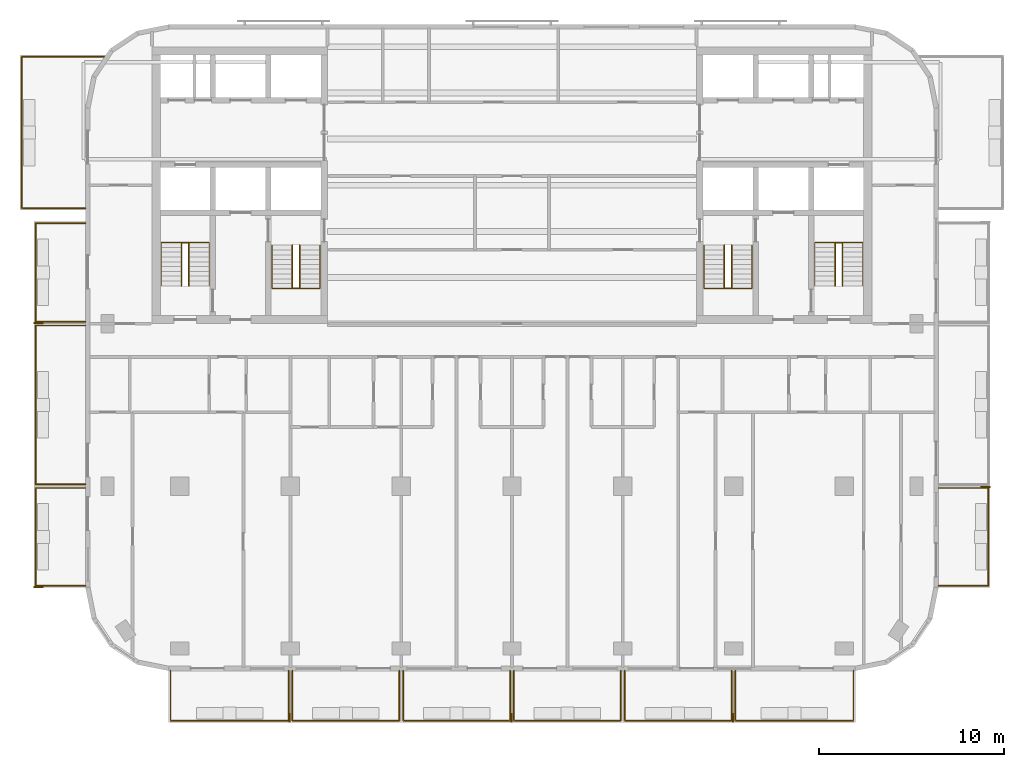
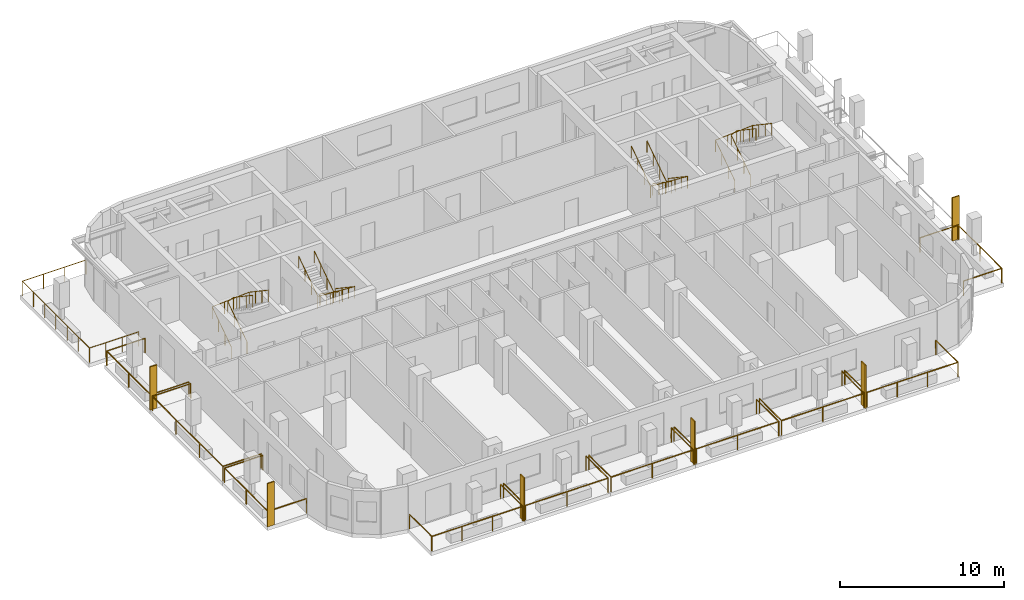
# One storey, part 9 of 11: 19 railings, 6 shading devices.
"""IFC4 building model written with IfcOpenShell, lengths in metres."""

from ifc_helpers import new_model, si_unit, direction, frame, origin, origin_2d, place, context, subcontext, project, spatial, rectangle, circle, extrude, material, layer, layer_set, type_object, element, save


model = new_model("IFC4")

# Units and contexts
model_context = context("Model", 3, precision=1e-05, world=origin(), true_north=direction((0.0, 1.0)))
body_context = subcontext(model_context, "Body", "Model", "MODEL_VIEW")
ifc_project = project(units=[si_unit("LENGTHUNIT", "METRE"), si_unit("AREAUNIT", "SQUARE_METRE"), si_unit("VOLUMEUNIT", "CUBIC_METRE"), si_unit("PLANEANGLEUNIT", "RADIAN"), si_unit("MASSUNIT", "GRAM", prefix="KILO")], contexts=[model_context])

# Site, building, storey
site_placement = place(None, origin())
site = spatial("IfcSite", under=ifc_project, at=site_placement, CompositionType="ELEMENT")
building_placement = place(site_placement, origin())
building = spatial("IfcBuilding", under=site, at=building_placement, Name="Torana Hotel and Residences", CompositionType="ELEMENT")
storey_placement = place(building_placement, frame((0.0, 0.0, 259.60009765625)))
storey = spatial("IfcBuildingStorey", under=building, at=storey_placement, Name="L68", CompositionType="ELEMENT", Elevation=259.60009765625)

# Shading devices
ifc_material_1 = material(Name="Black powder coated aluminium", Category="aluminium")
ifc_layer = layer(ifc_material_1, 0.080078125)
ifc_layer_set = layer_set([ifc_layer], Name="FN1 VERTICAL FIN 500x80")
shading_device_type = type_object("IfcShadingDeviceType", Name="FN1 VERTICAL FIN 500x80", PredefinedType="USERDEFINED", material=ifc_layer_set)
for number, where, z_axis, x_axis, name in (
    (1, (-12.0400390625, -36.35009765625, 0.0), (0.0, 0.0, 1.0), (-1.0, 0.0, 0.0), "Fin 01"),
    (2, (-0.0400390625, -36.35009765625, 0.0), (0.0, 0.0, 1.0), (-1.0, 0.0, 0.0), "Fin 03"),
    (3, (11.9599609375, -36.35009765625, 0.0), (0.0, 0.0, 1.0), (-1.0, 0.0, 0.0), "Fin 05"),
    (4, (-25.64990234375, -29.260009765625, 0.0), (0.0, 0.0, 1.0), (0.0, 1.0, 0.0), "Fin 07"),
    (5, (-25.64990234375, -14.9599609375, 0.0), (0.0, 0.0, 1.0), (0.0, 1.0, 0.0), "Fin 09"),
    (6, (25.64990234375, -23.840087890625, 0.0), (0.0, 0.0, 1.0), (0.0, -1.0, 0.0), "Fin 11"),
):
    element("IfcShadingDevice", number, at=place(storey_placement, frame(where, z_axis=z_axis, x_axis=x_axis)), inside=storey, type_object=shading_device_type, Name=name, ObjectType="FIN", PredefinedType="USERDEFINED", context=body_context, shape_type="SweptSolid", body=[
        extrude(rectangle(XDim=0.080078125, YDim=0.5, at=origin_2d()), origin(), (0.0, 0.0, 1.0), 3.219970703125),
    ])

# Railings
ifc_material_2 = material(Name="Laminated glass balustrade with black handrail", Category="glass")
railing_type_1 = type_object("IfcRailingType", Name="GR1 BALCONY GUARD 1100 GLASS", PredefinedType="GUARDRAIL", material=ifc_material_2)
railing_1_placement = place(storey_placement, frame((-12.10009765625, -33.800048828125, 0.0)))
element("IfcRailing", 7, at=railing_1_placement, inside=storey, type_object=railing_type_1, Name="Balcony guard 01", PredefinedType="GUARDRAIL", context=body_context, shape_type="SweptSolid", body=[
    extrude(circle(Radius=0.02392578125, at=origin_2d()), frame((0.0, 0.0, 1.076171875), z_axis=(0.0, -1.0, 0.0), x_axis=(1.0, 0.0, 0.0)), (0.0, 0.0, 1.0), 2.699951171875),
    extrude(circle(Radius=0.02392578125, at=origin_2d()), frame((0.0, -2.699951171875, 1.076171875), z_axis=(-1.0, 0.0, 0.0), x_axis=(0.0, -1.0, 0.0)), (0.0, 0.0, 1.0), 6.39990234375),
    extrude(circle(Radius=0.02392578125, at=origin_2d()), frame((-6.39990234375, -2.699951171875, 1.076171875), z_axis=(0.0, 1.0, 0.0), x_axis=(-1.0, 0.0, 0.0)), (0.0, 0.0, 1.0), 2.699951171875),
    extrude(circle(Radius=0.02099609375, at=origin_2d()), origin(), (0.0, 0.0, 1.0), 1.052001953125),
    extrude(circle(Radius=0.02099609375, at=origin_2d()), frame((0.0, -2.699951171875, 0.0)), (0.0, 0.0, 1.0), 1.052001953125),
    extrude(circle(Radius=0.02099609375, at=origin_2d()), frame((-2.13330078125, -2.699951171875, 0.0)), (0.0, 0.0, 1.0), 1.052001953125),
    extrude(circle(Radius=0.02099609375, at=origin_2d()), frame((-4.2666015625, -2.699951171875, 0.0)), (0.0, 0.0, 1.0), 1.052001953125),
    extrude(circle(Radius=0.02099609375, at=origin_2d()), frame((-6.39990234375, -2.699951171875, 0.0)), (0.0, 0.0, 1.0), 1.052001953125),
    extrude(circle(Radius=0.02099609375, at=origin_2d()), frame((-6.39990234375, 0.0, 0.0)), (0.0, 0.0, 1.0), 1.052001953125),
])
for number, where, name in (
    (8, (-6.10009765625, -33.800048828125, 0.0), "Balcony guard 02"),
    (9, (-0.10009765625, -33.800048828125, 0.0), "Balcony guard 03"),
    (10, (5.89990234375, -33.800048828125, 0.0), "Balcony guard 04"),
    (11, (11.89990234375, -33.800048828125, 0.0), "Balcony guard 05"),
):
    element("IfcRailing", number, at=place(storey_placement, frame(where)), inside=storey, type_object=railing_type_1, Name=name, PredefinedType="GUARDRAIL", context=body_context, shape_type="SweptSolid", body=[
        extrude(circle(Radius=0.02392578125, at=origin_2d()), frame((0.0, 0.0, 1.076171875), z_axis=(0.0, -1.0, 0.0), x_axis=(1.0, 0.0, 0.0)), (0.0, 0.0, 1.0), 2.699951171875),
        extrude(circle(Radius=0.02392578125, at=origin_2d()), frame((0.0, -2.699951171875, 1.076171875), z_axis=(-1.0, 0.0, 0.0), x_axis=(0.0, -1.0, 0.0)), (0.0, 0.0, 1.0), 5.7998046875),
        extrude(circle(Radius=0.02392578125, at=origin_2d()), frame((-5.7998046875, -2.699951171875, 1.076171875), z_axis=(0.0, 1.0, 0.0), x_axis=(-1.0, 0.0, 0.0)), (0.0, 0.0, 1.0), 2.699951171875),
        extrude(circle(Radius=0.02099609375, at=origin_2d()), origin(), (0.0, 0.0, 1.0), 1.052001953125),
        extrude(circle(Radius=0.02099609375, at=origin_2d()), frame((0.0, -2.699951171875, 0.0)), (0.0, 0.0, 1.0), 1.052001953125),
        extrude(circle(Radius=0.02099609375, at=origin_2d()), frame((-2.89990234375, -2.699951171875, 0.0)), (0.0, 0.0, 1.0), 1.052001953125),
        extrude(circle(Radius=0.02099609375, at=origin_2d()), frame((-5.7998046875, -2.699951171875, 0.0)), (0.0, 0.0, 1.0), 1.052001953125),
        extrude(circle(Radius=0.02099609375, at=origin_2d()), frame((-5.7998046875, 0.0, 0.0)), (0.0, 0.0, 1.0), 1.052001953125),
    ])
railing_2_placement = place(storey_placement, frame((18.5, -33.800048828125, 0.0)))
element("IfcRailing", 12, at=railing_2_placement, inside=storey, type_object=railing_type_1, Name="Balcony guard 06", PredefinedType="GUARDRAIL", context=body_context, shape_type="SweptSolid", body=[
    extrude(circle(Radius=0.02392578125, at=origin_2d()), frame((0.0, 0.0, 1.076171875), z_axis=(0.0, -1.0, 0.0), x_axis=(1.0, 0.0, 0.0)), (0.0, 0.0, 1.0), 2.699951171875),
    extrude(circle(Radius=0.02392578125, at=origin_2d()), frame((0.0, -2.699951171875, 1.076171875), z_axis=(-1.0, 0.0, 0.0), x_axis=(0.0, -1.0, 0.0)), (0.0, 0.0, 1.0), 6.39990234375),
    extrude(circle(Radius=0.02392578125, at=origin_2d()), frame((-6.39990234375, -2.699951171875, 1.076171875), z_axis=(0.0, 1.0, 0.0), x_axis=(-1.0, 0.0, 0.0)), (0.0, 0.0, 1.0), 2.699951171875),
    extrude(circle(Radius=0.02099609375, at=origin_2d()), origin(), (0.0, 0.0, 1.0), 1.052001953125),
    extrude(circle(Radius=0.02099609375, at=origin_2d()), frame((0.0, -2.699951171875, 0.0)), (0.0, 0.0, 1.0), 1.052001953125),
    extrude(circle(Radius=0.02099609375, at=origin_2d()), frame((-2.13330078125, -2.699951171875, 0.0)), (0.0, 0.0, 1.0), 1.052001953125),
    extrude(circle(Radius=0.02099609375, at=origin_2d()), frame((-4.2666015625, -2.699951171875, 0.0)), (0.0, 0.0, 1.0), 1.052001953125),
    extrude(circle(Radius=0.02099609375, at=origin_2d()), frame((-6.39990234375, -2.699951171875, 0.0)), (0.0, 0.0, 1.0), 1.052001953125),
    extrude(circle(Radius=0.02099609375, at=origin_2d()), frame((-6.39990234375, 0.0, 0.0)), (0.0, 0.0, 1.0), 1.052001953125),
])
railing_3_placement = place(storey_placement, frame((-23.10009765625, -29.199951171875, 0.0)))
element("IfcRailing", 13, at=railing_3_placement, inside=storey, type_object=railing_type_1, Name="Balcony guard 07", PredefinedType="GUARDRAIL", context=body_context, shape_type="SweptSolid", body=[
    extrude(circle(Radius=0.02392578125, at=origin_2d()), frame((0.0, 0.0, 1.076171875), z_axis=(-1.0, 0.0, 0.0), x_axis=(0.0, -1.0, 0.0)), (0.0, 0.0, 1.0), 2.699951171875),
    extrude(circle(Radius=0.02392578125, at=origin_2d()), frame((-2.699951171875, 0.0, 1.076171875), z_axis=(0.0, 1.0, 0.0), x_axis=(-1.0, 0.0, 0.0)), (0.0, 0.0, 1.0), 5.300048828125),
    extrude(circle(Radius=0.02392578125, at=origin_2d()), frame((-2.699951171875, 5.300048828125, 1.076171875), z_axis=(1.0, 0.0, 0.0), x_axis=(0.0, 1.0, 0.0)), (0.0, 0.0, 1.0), 2.699951171875),
    extrude(circle(Radius=0.02099609375, at=origin_2d()), origin(), (0.0, 0.0, 1.0), 1.052001953125),
    extrude(circle(Radius=0.02099609375, at=origin_2d()), frame((-2.699951171875, 0.0, 0.0)), (0.0, 0.0, 1.0), 1.052001953125),
    extrude(circle(Radius=0.02099609375, at=origin_2d()), frame((-2.699951171875, 2.64990234375, 0.0)), (0.0, 0.0, 1.0), 1.052001953125),
    extrude(circle(Radius=0.02099609375, at=origin_2d()), frame((-2.699951171875, 5.300048828125, 0.0)), (0.0, 0.0, 1.0), 1.052001953125),
    extrude(circle(Radius=0.02099609375, at=origin_2d()), frame((0.0, 5.300048828125, 0.0)), (0.0, 0.0, 1.0), 1.052001953125),
])
railing_4_placement = place(storey_placement, frame((-23.10009765625, -23.699951171875, 0.0)))
element("IfcRailing", 14, at=railing_4_placement, inside=storey, type_object=railing_type_1, Name="Balcony guard 08", PredefinedType="GUARDRAIL", context=body_context, shape_type="SweptSolid", body=[
    extrude(circle(Radius=0.02392578125, at=origin_2d()), frame((0.0, 0.0, 1.076171875), z_axis=(-1.0, 0.0, 0.0), x_axis=(0.0, -1.0, 0.0)), (0.0, 0.0, 1.0), 2.699951171875),
    extrude(circle(Radius=0.02392578125, at=origin_2d()), frame((-2.699951171875, 0.0, 1.076171875), z_axis=(0.0, 1.0, 0.0), x_axis=(-1.0, 0.0, 0.0)), (0.0, 0.0, 1.0), 8.599853515625),
    extrude(circle(Radius=0.02392578125, at=origin_2d()), frame((-2.699951171875, 8.599853515625, 1.076171875), z_axis=(1.0, 0.0, 0.0), x_axis=(0.0, 1.0, 0.0)), (0.0, 0.0, 1.0), 2.699951171875),
    extrude(circle(Radius=0.02099609375, at=origin_2d()), origin(), (0.0, 0.0, 1.0), 1.052001953125),
    extrude(circle(Radius=0.02099609375, at=origin_2d()), frame((-2.699951171875, 0.0, 0.0)), (0.0, 0.0, 1.0), 1.052001953125),
    extrude(circle(Radius=0.02099609375, at=origin_2d()), frame((-2.699951171875, 2.86669921875, 0.0)), (0.0, 0.0, 1.0), 1.052001953125),
    extrude(circle(Radius=0.02099609375, at=origin_2d()), frame((-2.699951171875, 5.733154296875, 0.0)), (0.0, 0.0, 1.0), 1.052001953125),
    extrude(circle(Radius=0.02099609375, at=origin_2d()), frame((-2.699951171875, 8.599853515625, 0.0)), (0.0, 0.0, 1.0), 1.052001953125),
    extrude(circle(Radius=0.02099609375, at=origin_2d()), frame((0.0, 8.599853515625, 0.0)), (0.0, 0.0, 1.0), 1.052001953125),
])
railing_5_placement = place(storey_placement, frame((-23.10009765625, -14.89990234375, 0.0)))
element("IfcRailing", 15, at=railing_5_placement, inside=storey, type_object=railing_type_1, Name="Balcony guard 09", PredefinedType="GUARDRAIL", context=body_context, shape_type="SweptSolid", body=[
    extrude(circle(Radius=0.02392578125, at=origin_2d()), frame((0.0, 0.0, 1.076171875), z_axis=(-1.0, 0.0, 0.0), x_axis=(0.0, -1.0, 0.0)), (0.0, 0.0, 1.0), 2.699951171875),
    extrude(circle(Radius=0.02392578125, at=origin_2d()), frame((-2.699951171875, 0.0, 1.076171875), z_axis=(0.0, 1.0, 0.0), x_axis=(-1.0, 0.0, 0.0)), (0.0, 0.0, 1.0), 5.349853515625),
    extrude(circle(Radius=0.02392578125, at=origin_2d()), frame((-2.699951171875, 5.349853515625, 1.076171875), z_axis=(1.0, 0.0, 0.0), x_axis=(0.0, 1.0, 0.0)), (0.0, 0.0, 1.0), 2.699951171875),
    extrude(circle(Radius=0.02099609375, at=origin_2d()), origin(), (0.0, 0.0, 1.0), 1.052001953125),
    extrude(circle(Radius=0.02099609375, at=origin_2d()), frame((-2.699951171875, 0.0, 0.0)), (0.0, 0.0, 1.0), 1.052001953125),
    extrude(circle(Radius=0.02099609375, at=origin_2d()), frame((-2.699951171875, 2.6748046875, 0.0)), (0.0, 0.0, 1.0), 1.052001953125),
    extrude(circle(Radius=0.02099609375, at=origin_2d()), frame((-2.699951171875, 5.349853515625, 0.0)), (0.0, 0.0, 1.0), 1.052001953125),
    extrude(circle(Radius=0.02099609375, at=origin_2d()), frame((0.0, 5.349853515625, 0.0)), (0.0, 0.0, 1.0), 1.052001953125),
])
railing_6_placement = place(storey_placement, frame((-23.10009765625, -8.75, 0.0)))
element("IfcRailing", 16, at=railing_6_placement, inside=storey, type_object=railing_type_1, Name="Balcony guard 10", PredefinedType="GUARDRAIL", context=body_context, shape_type="SweptSolid", body=[
    extrude(circle(Radius=0.02392578125, at=origin_2d()), frame((0.0, 0.0, 1.076171875), z_axis=(-1.0, 0.0, 0.0), x_axis=(0.0, -1.0, 0.0)), (0.0, 0.0, 1.0), 3.449951171875),
    extrude(circle(Radius=0.02392578125, at=origin_2d()), frame((-3.449951171875, 0.0, 1.076171875), z_axis=(0.0, 1.0, 0.0), x_axis=(-1.0, 0.0, 0.0)), (0.0, 0.0, 1.0), 8.199951171875),
    extrude(circle(Radius=0.02392578125, at=origin_2d()), frame((-3.449951171875, 8.199951171875, 1.076171875), z_axis=(1.0, 0.0, 0.0), x_axis=(0.0, 1.0, 0.0)), (0.0, 0.0, 1.0), 4.479248046875),
    extrude(circle(Radius=0.02099609375, at=origin_2d()), origin(), (0.0, 0.0, 1.0), 1.052001953125),
    extrude(circle(Radius=0.02099609375, at=origin_2d()), frame((-1.14990234375, 0.0, 0.0)), (0.0, 0.0, 1.0), 1.052001953125),
    extrude(circle(Radius=0.02099609375, at=origin_2d()), frame((-2.300048828125, 0.0, 0.0)), (0.0, 0.0, 1.0), 1.052001953125),
    extrude(circle(Radius=0.02099609375, at=origin_2d()), frame((-3.449951171875, 0.0, 0.0)), (0.0, 0.0, 1.0), 1.052001953125),
    extrude(circle(Radius=0.02099609375, at=origin_2d()), frame((-3.449951171875, 1.36669921875, 0.0)), (0.0, 0.0, 1.0), 1.052001953125),
    extrude(circle(Radius=0.02099609375, at=origin_2d()), frame((-3.449951171875, 2.7333984375, 0.0)), (0.0, 0.0, 1.0), 1.052001953125),
    extrude(circle(Radius=0.02099609375, at=origin_2d()), frame((-3.449951171875, 4.10009765625, 0.0)), (0.0, 0.0, 1.0), 1.052001953125),
    extrude(circle(Radius=0.02099609375, at=origin_2d()), frame((-3.449951171875, 5.466552734375, 0.0)), (0.0, 0.0, 1.0), 1.052001953125),
    extrude(circle(Radius=0.02099609375, at=origin_2d()), frame((-3.449951171875, 6.833251953125, 0.0)), (0.0, 0.0, 1.0), 1.052001953125),
    extrude(circle(Radius=0.02099609375, at=origin_2d()), frame((-3.449951171875, 8.199951171875, 0.0)), (0.0, 0.0, 1.0), 1.052001953125),
    extrude(circle(Radius=0.02099609375, at=origin_2d()), frame((-1.956787109375, 8.199951171875, 0.0)), (0.0, 0.0, 1.0), 1.052001953125),
    extrude(circle(Radius=0.02099609375, at=origin_2d()), frame((-0.4638671875, 8.199951171875, 0.0)), (0.0, 0.0, 1.0), 1.052001953125),
    extrude(circle(Radius=0.02099609375, at=origin_2d()), frame((1.029296875, 8.199951171875, 0.0)), (0.0, 0.0, 1.0), 1.052001953125),
])
railing_7_placement = place(storey_placement, frame((23.10009765625, -23.89990234375, 0.0)))
element("IfcRailing", 17, at=railing_7_placement, inside=storey, type_object=railing_type_1, Name="Balcony guard 11", PredefinedType="GUARDRAIL", context=body_context, shape_type="SweptSolid", body=[
    extrude(circle(Radius=0.02392578125, at=origin_2d()), frame((0.0, 0.0, 1.076171875), z_axis=(1.0, 0.0, 0.0), x_axis=(0.0, 1.0, 0.0)), (0.0, 0.0, 1.0), 2.699951171875),
    extrude(circle(Radius=0.02392578125, at=origin_2d()), frame((2.699951171875, 0.0, 1.076171875), z_axis=(0.0, -1.0, 0.0), x_axis=(1.0, 0.0, 0.0)), (0.0, 0.0, 1.0), 5.300048828125),
    extrude(circle(Radius=0.02392578125, at=origin_2d()), frame((2.699951171875, -5.300048828125, 1.076171875), z_axis=(-1.0, 0.0, 0.0), x_axis=(0.0, -1.0, 0.0)), (0.0, 0.0, 1.0), 2.699951171875),
    extrude(circle(Radius=0.02099609375, at=origin_2d()), origin(), (0.0, 0.0, 1.0), 1.052001953125),
    extrude(circle(Radius=0.02099609375, at=origin_2d()), frame((2.699951171875, 0.0, 0.0)), (0.0, 0.0, 1.0), 1.052001953125),
    extrude(circle(Radius=0.02099609375, at=origin_2d()), frame((2.699951171875, -2.64990234375, 0.0)), (0.0, 0.0, 1.0), 1.052001953125),
    extrude(circle(Radius=0.02099609375, at=origin_2d()), frame((2.699951171875, -5.300048828125, 0.0)), (0.0, 0.0, 1.0), 1.052001953125),
    extrude(circle(Radius=0.02099609375, at=origin_2d()), frame((0.0, -5.300048828125, 0.0)), (0.0, 0.0, 1.0), 1.052001953125),
])
ifc_material_3 = material(Name="Stainless steel 316", Category="steel")
railing_type_2 = type_object("IfcRailingType", Name="STAIR HANDRAIL HR1 900", PredefinedType="HANDRAIL", material=ifc_material_3)
railing_8_placement = place(storey_placement, frame((-10.39990234375, -10.75, 0.1748046875)))
element("IfcRailing", 18, at=railing_8_placement, inside=storey, type_object=railing_type_2, Name="Handrail ST1 L68 O1", PredefinedType="HANDRAIL", context=body_context, shape_type="SweptSolid", body=[
    extrude(circle(Radius=0.02392578125, at=origin_2d()), frame((0.0, 0.0, 0.8759765625), z_axis=(0.0, -0.829565388462, 0.558409586474), x_axis=(1.0, 0.0, 0.0)), (0.0, 0.0, 1.0), 2.82080078125),
    extrude(circle(Radius=0.02392578125, at=origin_2d()), frame((0.0, -2.340087890625, 2.451171875), z_axis=(-0.997747692642, 0.0, 0.067078624219), x_axis=(0.0, -1.0, 0.0)), (0.0, 0.0, 1.0), 2.60595703125),
    extrude(circle(Radius=0.02392578125, at=origin_2d()), frame((-2.60009765625, -2.340087890625, 2.6259765625), z_axis=(0.0, 0.829565388462, 0.558409586474), x_axis=(-1.0, 0.0, 0.0)), (0.0, 0.0, 1.0), 2.82080078125),
    extrude(circle(Radius=0.02099609375, at=origin_2d()), origin(), (0.0, 0.0, 1.0), 0.851806640625),
    extrude(circle(Radius=0.02099609375, at=origin_2d()), frame((0.0, -0.780029296875, 0.525146484375)), (0.0, 0.0, 1.0), 0.851806640625),
    extrude(circle(Radius=0.02099609375, at=origin_2d()), frame((0.0, -1.56005859375, 1.050048828125)), (0.0, 0.0, 1.0), 0.851806640625),
    extrude(circle(Radius=0.02099609375, at=origin_2d()), frame((0.0, -2.340087890625, 1.5751953125)), (0.0, 0.0, 1.0), 0.851806640625),
    extrude(circle(Radius=0.02099609375, at=origin_2d()), frame((-0.86669921875, -2.340087890625, 1.633544921875)), (0.0, 0.0, 1.0), 0.851806640625),
    extrude(circle(Radius=0.02099609375, at=origin_2d()), frame((-1.7333984375, -2.340087890625, 1.691650390625)), (0.0, 0.0, 1.0), 0.851806640625),
    extrude(circle(Radius=0.02099609375, at=origin_2d()), frame((-2.60009765625, -2.340087890625, 1.75)), (0.0, 0.0, 1.0), 0.851806640625),
    extrude(circle(Radius=0.02099609375, at=origin_2d()), frame((-2.60009765625, -1.56005859375, 2.275146484375)), (0.0, 0.0, 1.0), 0.851806640625),
    extrude(circle(Radius=0.02099609375, at=origin_2d()), frame((-2.60009765625, -0.780029296875, 2.800048828125)), (0.0, 0.0, 1.0), 0.851806640625),
    extrude(circle(Radius=0.02099609375, at=origin_2d()), frame((-2.60009765625, 0.0, 3.3251953125)), (0.0, 0.0, 1.0), 0.851806640625),
])
railing_9_placement = place(storey_placement, frame((-11.5, -10.75, 0.1748046875)))
element("IfcRailing", 19, at=railing_9_placement, inside=storey, type_object=railing_type_2, Name="Handrail ST1 L68 I1", PredefinedType="HANDRAIL", context=body_context, shape_type="SweptSolid", body=[
    extrude(circle(Radius=0.02392578125, at=origin_2d()), frame((0.0, 0.0, 0.8759765625), z_axis=(0.0, -0.829565388462, 0.558409586474), x_axis=(1.0, 0.0, 0.0)), (0.0, 0.0, 1.0), 2.82080078125),
    extrude(circle(Radius=0.02392578125, at=origin_2d()), frame((0.0, -2.340087890625, 2.451171875), z_axis=(-0.916285673175, 0.0, 0.400525361412), x_axis=(0.0, -1.0, 0.0)), (0.0, 0.0, 1.0), 0.4365234375),
    extrude(circle(Radius=0.02392578125, at=origin_2d()), frame((-0.39990234375, -2.340087890625, 2.6259765625), z_axis=(0.0, 0.829565388462, 0.558409586474), x_axis=(-1.0, 0.0, 0.0)), (0.0, 0.0, 1.0), 2.82080078125),
    extrude(circle(Radius=0.02099609375, at=origin_2d()), origin(), (0.0, 0.0, 1.0), 0.851806640625),
    extrude(circle(Radius=0.02099609375, at=origin_2d()), frame((0.0, -0.780029296875, 0.525146484375)), (0.0, 0.0, 1.0), 0.851806640625),
    extrude(circle(Radius=0.02099609375, at=origin_2d()), frame((0.0, -1.56005859375, 1.050048828125)), (0.0, 0.0, 1.0), 0.851806640625),
    extrude(circle(Radius=0.02099609375, at=origin_2d()), frame((0.0, -2.340087890625, 1.5751953125)), (0.0, 0.0, 1.0), 0.851806640625),
    extrude(circle(Radius=0.02099609375, at=origin_2d()), frame((-0.39990234375, -2.340087890625, 1.75)), (0.0, 0.0, 1.0), 0.851806640625),
    extrude(circle(Radius=0.02099609375, at=origin_2d()), frame((-0.39990234375, -1.56005859375, 2.275146484375)), (0.0, 0.0, 1.0), 0.851806640625),
    extrude(circle(Radius=0.02099609375, at=origin_2d()), frame((-0.39990234375, -0.780029296875, 2.800048828125)), (0.0, 0.0, 1.0), 0.851806640625),
    extrude(circle(Radius=0.02099609375, at=origin_2d()), frame((-0.39990234375, 0.0, 3.3251953125)), (0.0, 0.0, 1.0), 0.851806640625),
])
railing_10_placement = place(storey_placement, frame((-19.0, -12.949951171875, 0.1748046875)))
element("IfcRailing", 20, at=railing_10_placement, inside=storey, type_object=railing_type_2, Name="Handrail ST2 L68 O1", PredefinedType="HANDRAIL", context=body_context, shape_type="SweptSolid", body=[
    extrude(circle(Radius=0.02392578125, at=origin_2d()), frame((0.0, 0.0, 0.8759765625), z_axis=(0.0, 0.829538397957, 0.558449681095), x_axis=(-1.0, 0.0, 0.0)), (0.0, 0.0, 1.0), 2.820556640625),
    extrude(circle(Radius=0.02392578125, at=origin_2d()), frame((0.0, 2.33984375, 2.451171875), z_axis=(0.997747692642, 0.0, 0.067078624219), x_axis=(0.0, 1.0, 0.0)), (0.0, 0.0, 1.0), 2.60595703125),
    extrude(circle(Radius=0.02392578125, at=origin_2d()), frame((2.60009765625, 2.33984375, 2.6259765625), z_axis=(0.0, -0.829538397957, 0.558449681095), x_axis=(1.0, 0.0, 0.0)), (0.0, 0.0, 1.0), 2.820556640625),
    extrude(circle(Radius=0.02099609375, at=origin_2d()), origin(), (0.0, 0.0, 1.0), 0.851806640625),
    extrude(circle(Radius=0.02099609375, at=origin_2d()), frame((0.0, 0.780029296875, 0.525146484375)), (0.0, 0.0, 1.0), 0.851806640625),
    extrude(circle(Radius=0.02099609375, at=origin_2d()), frame((0.0, 1.559814453125, 1.050048828125)), (0.0, 0.0, 1.0), 0.851806640625),
    extrude(circle(Radius=0.02099609375, at=origin_2d()), frame((0.0, 2.33984375, 1.5751953125)), (0.0, 0.0, 1.0), 0.851806640625),
    extrude(circle(Radius=0.02099609375, at=origin_2d()), frame((0.86669921875, 2.33984375, 1.633544921875)), (0.0, 0.0, 1.0), 0.851806640625),
    extrude(circle(Radius=0.02099609375, at=origin_2d()), frame((1.7333984375, 2.33984375, 1.691650390625)), (0.0, 0.0, 1.0), 0.851806640625),
    extrude(circle(Radius=0.02099609375, at=origin_2d()), frame((2.60009765625, 2.33984375, 1.75)), (0.0, 0.0, 1.0), 0.851806640625),
    extrude(circle(Radius=0.02099609375, at=origin_2d()), frame((2.60009765625, 1.559814453125, 2.275146484375)), (0.0, 0.0, 1.0), 0.851806640625),
    extrude(circle(Radius=0.02099609375, at=origin_2d()), frame((2.60009765625, 0.780029296875, 2.800048828125)), (0.0, 0.0, 1.0), 0.851806640625),
    extrude(circle(Radius=0.02099609375, at=origin_2d()), frame((2.60009765625, 0.0, 3.3251953125)), (0.0, 0.0, 1.0), 0.851806640625),
])
railing_11_placement = place(storey_placement, frame((-17.89990234375, -12.949951171875, 0.1748046875)))
element("IfcRailing", 21, at=railing_11_placement, inside=storey, type_object=railing_type_2, Name="Handrail ST2 L68 I1", PredefinedType="HANDRAIL", context=body_context, shape_type="SweptSolid", body=[
    extrude(circle(Radius=0.02392578125, at=origin_2d()), frame((0.0, 0.0, 0.8759765625), z_axis=(0.0, 0.829538397957, 0.558449681095), x_axis=(-1.0, 0.0, 0.0)), (0.0, 0.0, 1.0), 2.820556640625),
    extrude(circle(Radius=0.02392578125, at=origin_2d()), frame((0.0, 2.33984375, 2.451171875), z_axis=(0.916285673175, 0.0, 0.400525361412), x_axis=(0.0, 1.0, 0.0)), (0.0, 0.0, 1.0), 0.4365234375),
    extrude(circle(Radius=0.02392578125, at=origin_2d()), frame((0.39990234375, 2.33984375, 2.6259765625), z_axis=(0.0, -0.829538397957, 0.558449681095), x_axis=(1.0, 0.0, 0.0)), (0.0, 0.0, 1.0), 2.820556640625),
    extrude(circle(Radius=0.02099609375, at=origin_2d()), origin(), (0.0, 0.0, 1.0), 0.851806640625),
    extrude(circle(Radius=0.02099609375, at=origin_2d()), frame((0.0, 0.780029296875, 0.525146484375)), (0.0, 0.0, 1.0), 0.851806640625),
    extrude(circle(Radius=0.02099609375, at=origin_2d()), frame((0.0, 1.559814453125, 1.050048828125)), (0.0, 0.0, 1.0), 0.851806640625),
    extrude(circle(Radius=0.02099609375, at=origin_2d()), frame((0.0, 2.33984375, 1.5751953125)), (0.0, 0.0, 1.0), 0.851806640625),
    extrude(circle(Radius=0.02099609375, at=origin_2d()), frame((0.39990234375, 2.33984375, 1.75)), (0.0, 0.0, 1.0), 0.851806640625),
    extrude(circle(Radius=0.02099609375, at=origin_2d()), frame((0.39990234375, 1.559814453125, 2.275146484375)), (0.0, 0.0, 1.0), 0.851806640625),
    extrude(circle(Radius=0.02099609375, at=origin_2d()), frame((0.39990234375, 0.780029296875, 2.800048828125)), (0.0, 0.0, 1.0), 0.851806640625),
    extrude(circle(Radius=0.02099609375, at=origin_2d()), frame((0.39990234375, 0.0, 3.3251953125)), (0.0, 0.0, 1.0), 0.851806640625),
])
railing_12_placement = place(storey_placement, frame((13.0, -10.75, 0.1748046875)))
element("IfcRailing", 22, at=railing_12_placement, inside=storey, type_object=railing_type_2, Name="Handrail ST3 L68 O1", PredefinedType="HANDRAIL", context=body_context, shape_type="SweptSolid", body=[
    extrude(circle(Radius=0.02392578125, at=origin_2d()), frame((0.0, 0.0, 0.8759765625), z_axis=(0.0, -0.829565388462, 0.558409586474), x_axis=(1.0, 0.0, 0.0)), (0.0, 0.0, 1.0), 2.82080078125),
    extrude(circle(Radius=0.02392578125, at=origin_2d()), frame((0.0, -2.340087890625, 2.451171875), z_axis=(-0.997747692642, 0.0, 0.067078624219), x_axis=(0.0, -1.0, 0.0)), (0.0, 0.0, 1.0), 2.60595703125),
    extrude(circle(Radius=0.02392578125, at=origin_2d()), frame((-2.60009765625, -2.340087890625, 2.6259765625), z_axis=(0.0, 0.829565388462, 0.558409586474), x_axis=(-1.0, 0.0, 0.0)), (0.0, 0.0, 1.0), 2.82080078125),
    extrude(circle(Radius=0.02099609375, at=origin_2d()), origin(), (0.0, 0.0, 1.0), 0.851806640625),
    extrude(circle(Radius=0.02099609375, at=origin_2d()), frame((0.0, -0.780029296875, 0.525146484375)), (0.0, 0.0, 1.0), 0.851806640625),
    extrude(circle(Radius=0.02099609375, at=origin_2d()), frame((0.0, -1.56005859375, 1.050048828125)), (0.0, 0.0, 1.0), 0.851806640625),
    extrude(circle(Radius=0.02099609375, at=origin_2d()), frame((0.0, -2.340087890625, 1.5751953125)), (0.0, 0.0, 1.0), 0.851806640625),
    extrude(circle(Radius=0.02099609375, at=origin_2d()), frame((-0.86669921875, -2.340087890625, 1.633544921875)), (0.0, 0.0, 1.0), 0.851806640625),
    extrude(circle(Radius=0.02099609375, at=origin_2d()), frame((-1.7333984375, -2.340087890625, 1.691650390625)), (0.0, 0.0, 1.0), 0.851806640625),
    extrude(circle(Radius=0.02099609375, at=origin_2d()), frame((-2.60009765625, -2.340087890625, 1.75)), (0.0, 0.0, 1.0), 0.851806640625),
    extrude(circle(Radius=0.02099609375, at=origin_2d()), frame((-2.60009765625, -1.56005859375, 2.275146484375)), (0.0, 0.0, 1.0), 0.851806640625),
    extrude(circle(Radius=0.02099609375, at=origin_2d()), frame((-2.60009765625, -0.780029296875, 2.800048828125)), (0.0, 0.0, 1.0), 0.851806640625),
    extrude(circle(Radius=0.02099609375, at=origin_2d()), frame((-2.60009765625, 0.0, 3.3251953125)), (0.0, 0.0, 1.0), 0.851806640625),
])
railing_13_placement = place(storey_placement, frame((11.89990234375, -10.75, 0.1748046875)))
element("IfcRailing", 23, at=railing_13_placement, inside=storey, type_object=railing_type_2, Name="Handrail ST3 L68 I1", PredefinedType="HANDRAIL", context=body_context, shape_type="SweptSolid", body=[
    extrude(circle(Radius=0.02392578125, at=origin_2d()), frame((0.0, 0.0, 0.8759765625), z_axis=(0.0, -0.829565388462, 0.558409586474), x_axis=(1.0, 0.0, 0.0)), (0.0, 0.0, 1.0), 2.82080078125),
    extrude(circle(Radius=0.02392578125, at=origin_2d()), frame((0.0, -2.340087890625, 2.451171875), z_axis=(-0.916285673175, 0.0, 0.400525361412), x_axis=(0.0, -1.0, 0.0)), (0.0, 0.0, 1.0), 0.4365234375),
    extrude(circle(Radius=0.02392578125, at=origin_2d()), frame((-0.39990234375, -2.340087890625, 2.6259765625), z_axis=(0.0, 0.829565388462, 0.558409586474), x_axis=(-1.0, 0.0, 0.0)), (0.0, 0.0, 1.0), 2.82080078125),
    extrude(circle(Radius=0.02099609375, at=origin_2d()), origin(), (0.0, 0.0, 1.0), 0.851806640625),
    extrude(circle(Radius=0.02099609375, at=origin_2d()), frame((0.0, -0.780029296875, 0.525146484375)), (0.0, 0.0, 1.0), 0.851806640625),
    extrude(circle(Radius=0.02099609375, at=origin_2d()), frame((0.0, -1.56005859375, 1.050048828125)), (0.0, 0.0, 1.0), 0.851806640625),
    extrude(circle(Radius=0.02099609375, at=origin_2d()), frame((0.0, -2.340087890625, 1.5751953125)), (0.0, 0.0, 1.0), 0.851806640625),
    extrude(circle(Radius=0.02099609375, at=origin_2d()), frame((-0.39990234375, -2.340087890625, 1.75)), (0.0, 0.0, 1.0), 0.851806640625),
    extrude(circle(Radius=0.02099609375, at=origin_2d()), frame((-0.39990234375, -1.56005859375, 2.275146484375)), (0.0, 0.0, 1.0), 0.851806640625),
    extrude(circle(Radius=0.02099609375, at=origin_2d()), frame((-0.39990234375, -0.780029296875, 2.800048828125)), (0.0, 0.0, 1.0), 0.851806640625),
    extrude(circle(Radius=0.02099609375, at=origin_2d()), frame((-0.39990234375, 0.0, 3.3251953125)), (0.0, 0.0, 1.0), 0.851806640625),
])
railing_14_placement = place(storey_placement, frame((16.39990234375, -12.949951171875, 0.1748046875)))
element("IfcRailing", 24, at=railing_14_placement, inside=storey, type_object=railing_type_2, Name="Handrail ST4 L68 O1", PredefinedType="HANDRAIL", context=body_context, shape_type="SweptSolid", body=[
    extrude(circle(Radius=0.02392578125, at=origin_2d()), frame((0.0, 0.0, 0.8759765625), z_axis=(0.0, 0.829538397957, 0.558449681095), x_axis=(-1.0, 0.0, 0.0)), (0.0, 0.0, 1.0), 2.820556640625),
    extrude(circle(Radius=0.02392578125, at=origin_2d()), frame((0.0, 2.33984375, 2.451171875), z_axis=(0.997747692642, 0.0, 0.067078624219), x_axis=(0.0, 1.0, 0.0)), (0.0, 0.0, 1.0), 2.60595703125),
    extrude(circle(Radius=0.02392578125, at=origin_2d()), frame((2.60009765625, 2.33984375, 2.6259765625), z_axis=(0.0, -0.829538397957, 0.558449681095), x_axis=(1.0, 0.0, 0.0)), (0.0, 0.0, 1.0), 2.820556640625),
    extrude(circle(Radius=0.02099609375, at=origin_2d()), origin(), (0.0, 0.0, 1.0), 0.851806640625),
    extrude(circle(Radius=0.02099609375, at=origin_2d()), frame((0.0, 0.780029296875, 0.525146484375)), (0.0, 0.0, 1.0), 0.851806640625),
    extrude(circle(Radius=0.02099609375, at=origin_2d()), frame((0.0, 1.559814453125, 1.050048828125)), (0.0, 0.0, 1.0), 0.851806640625),
    extrude(circle(Radius=0.02099609375, at=origin_2d()), frame((0.0, 2.33984375, 1.5751953125)), (0.0, 0.0, 1.0), 0.851806640625),
    extrude(circle(Radius=0.02099609375, at=origin_2d()), frame((0.86669921875, 2.33984375, 1.633544921875)), (0.0, 0.0, 1.0), 0.851806640625),
    extrude(circle(Radius=0.02099609375, at=origin_2d()), frame((1.7333984375, 2.33984375, 1.691650390625)), (0.0, 0.0, 1.0), 0.851806640625),
    extrude(circle(Radius=0.02099609375, at=origin_2d()), frame((2.60009765625, 2.33984375, 1.75)), (0.0, 0.0, 1.0), 0.851806640625),
    extrude(circle(Radius=0.02099609375, at=origin_2d()), frame((2.60009765625, 1.559814453125, 2.275146484375)), (0.0, 0.0, 1.0), 0.851806640625),
    extrude(circle(Radius=0.02099609375, at=origin_2d()), frame((2.60009765625, 0.780029296875, 2.800048828125)), (0.0, 0.0, 1.0), 0.851806640625),
    extrude(circle(Radius=0.02099609375, at=origin_2d()), frame((2.60009765625, 0.0, 3.3251953125)), (0.0, 0.0, 1.0), 0.851806640625),
])
railing_15_placement = place(storey_placement, frame((17.5, -12.949951171875, 0.1748046875)))
element("IfcRailing", 25, at=railing_15_placement, inside=storey, type_object=railing_type_2, Name="Handrail ST4 L68 I1", PredefinedType="HANDRAIL", context=body_context, shape_type="SweptSolid", body=[
    extrude(circle(Radius=0.02392578125, at=origin_2d()), frame((0.0, 0.0, 0.8759765625), z_axis=(0.0, 0.829538397957, 0.558449681095), x_axis=(-1.0, 0.0, 0.0)), (0.0, 0.0, 1.0), 2.820556640625),
    extrude(circle(Radius=0.02392578125, at=origin_2d()), frame((0.0, 2.33984375, 2.451171875), z_axis=(0.916285673175, 0.0, 0.400525361412), x_axis=(0.0, 1.0, 0.0)), (0.0, 0.0, 1.0), 0.4365234375),
    extrude(circle(Radius=0.02392578125, at=origin_2d()), frame((0.39990234375, 2.33984375, 2.6259765625), z_axis=(0.0, -0.829538397957, 0.558449681095), x_axis=(1.0, 0.0, 0.0)), (0.0, 0.0, 1.0), 2.820556640625),
    extrude(circle(Radius=0.02099609375, at=origin_2d()), origin(), (0.0, 0.0, 1.0), 0.851806640625),
    extrude(circle(Radius=0.02099609375, at=origin_2d()), frame((0.0, 0.780029296875, 0.525146484375)), (0.0, 0.0, 1.0), 0.851806640625),
    extrude(circle(Radius=0.02099609375, at=origin_2d()), frame((0.0, 1.559814453125, 1.050048828125)), (0.0, 0.0, 1.0), 0.851806640625),
    extrude(circle(Radius=0.02099609375, at=origin_2d()), frame((0.0, 2.33984375, 1.5751953125)), (0.0, 0.0, 1.0), 0.851806640625),
    extrude(circle(Radius=0.02099609375, at=origin_2d()), frame((0.39990234375, 2.33984375, 1.75)), (0.0, 0.0, 1.0), 0.851806640625),
    extrude(circle(Radius=0.02099609375, at=origin_2d()), frame((0.39990234375, 1.559814453125, 2.275146484375)), (0.0, 0.0, 1.0), 0.851806640625),
    extrude(circle(Radius=0.02099609375, at=origin_2d()), frame((0.39990234375, 0.780029296875, 2.800048828125)), (0.0, 0.0, 1.0), 0.851806640625),
    extrude(circle(Radius=0.02099609375, at=origin_2d()), frame((0.39990234375, 0.0, 3.3251953125)), (0.0, 0.0, 1.0), 0.851806640625),
])

save(model, "model.ifc")
